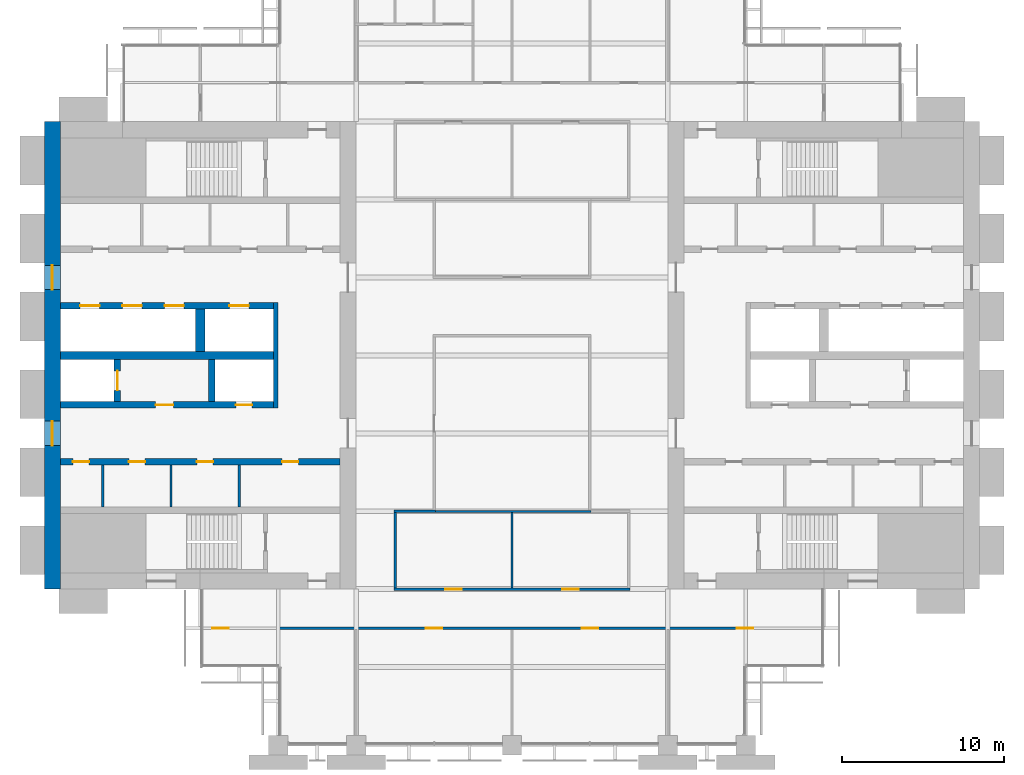
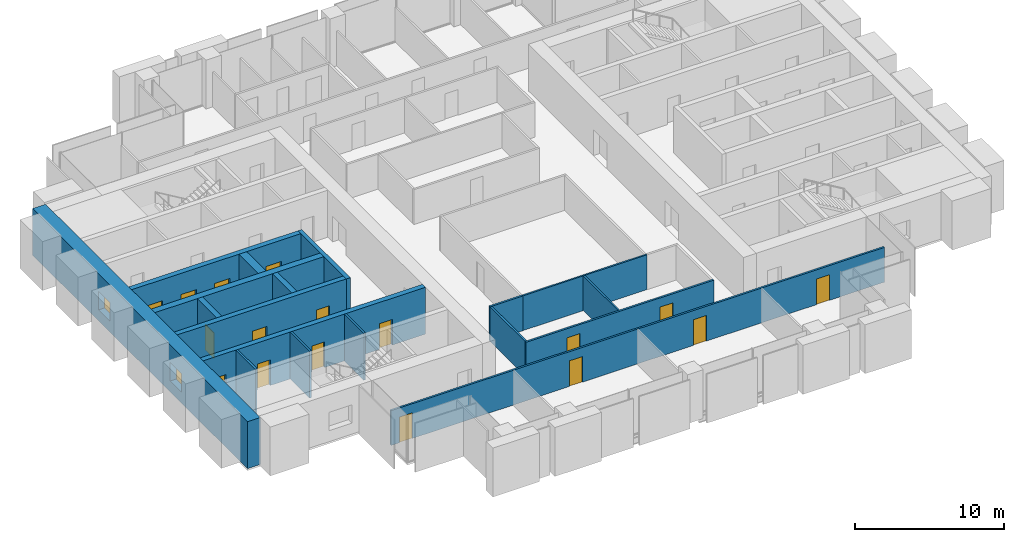
# One storey, part 9 of 14: 18 walls, 17 doors, 2 windows, 19 openings.
"""IFC4 building model written with IfcOpenShell, lengths in metres."""

from ifc_helpers import new_model, si_unit, direction, frame, frame_2d, origin, place, context, subcontext, project, spatial, rectangle, extrude, material, layer, layer_set, type_object, element, fill, save


model = new_model("IFC4")

# Units and contexts
model_context = context("Model", 3, precision=1e-05, world=origin(), true_north=direction((0.0, 1.0)))
body_context = subcontext(model_context, "Body", "Model", "MODEL_VIEW")
ifc_project = project(units=[si_unit("LENGTHUNIT", "METRE"), si_unit("AREAUNIT", "SQUARE_METRE"), si_unit("VOLUMEUNIT", "CUBIC_METRE"), si_unit("PLANEANGLEUNIT", "RADIAN"), si_unit("MASSUNIT", "GRAM", prefix="KILO")], contexts=[model_context])

# Site, building, storey
site_placement = place(None, origin())
site = spatial("IfcSite", under=ifc_project, at=site_placement, CompositionType="ELEMENT")
building_placement = place(site_placement, origin())
building = spatial("IfcBuilding", under=site, at=building_placement, Name="Baori Bourse Tower", CompositionType="ELEMENT")
storey_placement = place(building_placement, frame((0.0, 0.0, 136.10009765625)))
storey = spatial("IfcBuildingStorey", under=building, at=storey_placement, Name="L29", CompositionType="ELEMENT", Elevation=136.10009765625)

# Walls
ifc_material_1 = material(Name="Blockwork partition", Category="masonry")
ifc_layer_1 = layer(ifc_material_1, 0.14990234375)
ifc_layer_set_1 = layer_set([ifc_layer_1], Name="Core partition 150")
wall_type_1 = type_object("IfcWallType", Name="Core partition 150", PredefinedType="PARTITIONING", material=ifc_layer_set_1)
for number, where, z_axis, x_axis, name in (
    (1, (3.60009765625, 14.64990234375, 0.0), (0.0, 0.0, 1.0), (0.0, 1.0, 0.0), "Partition wall W10"),
    (2, (7.800048828125, 14.64990234375, 0.0), (0.0, 0.0, 1.0), (0.0, 1.0, 0.0), "Partition wall W11"),
    (3, (12.0, 14.64990234375, 0.0), (0.0, 0.0, 1.0), (0.0, 1.0, 0.0), "Partition wall W12"),
):
    element("IfcWall", number, at=place(storey_placement, frame(where, z_axis=z_axis, x_axis=x_axis)), inside=storey, type_object=wall_type_1, Name=name, PredefinedType="PARTITIONING", context=body_context, shape_type="SweptSolid", body=[
        extrude(rectangle(XDim=2.60009765625, YDim=0.14990234375, at=frame_2d((1.300048828125, 0.0))), origin(), (0.0, 0.0, 1.0), 3.83984375),
    ])

# Wall, openings, windows
ifc_material_2 = material(Name="Concrete f'c 60 MPa", Category="concrete")
ifc_layer_2 = layer(ifc_material_2, 1.0)
ifc_layer_set_2 = layer_set([ifc_layer_2], Name="Core wall 1000 f'c 60")
wall_type_2 = type_object("IfcWallType", Name="Core wall 1000 f'c 60", PredefinedType="SHEAR", material=ifc_layer_set_2)
wall_1_placement = place(storey_placement, frame((0.5, 9.60009765625, 0.0), z_axis=(0.0, 0.0, 1.0), x_axis=(0.0, 1.0, 0.0)))
wall_1 = element("IfcWall", 4, at=wall_1_placement, inside=storey, type_object=wall_type_2, Name="Core wall W01", PredefinedType="SHEAR", context=body_context, shape_type="SweptSolid", body=[
    extrude(rectangle(XDim=28.7998046875, YDim=1.0, at=frame_2d((14.39990234375, 0.0))), origin(), (0.0, 0.0, 1.0), 3.83984375),
])
opening_1_placement = place(wall_1_placement, frame((8.85009765625, 0.0, 0.89990234375)))
opening_1 = element("IfcOpeningElement", 5, at=opening_1_placement, cuts=wall_1, Name="Opening L29-KW101", PredefinedType="OPENING", context=body_context, shape_type="SweptSolid", body=[
    extrude(rectangle(XDim=1.5, YDim=1.5, at=frame_2d((0.75, 0.75))), frame((0.0, 0.510009765625, 0.0), z_axis=(0.0, -1.0, 0.0), x_axis=(1.0, 0.0, 0.0)), (0.0, 0.0, 1.0), 1.02001953125),
])
opening_2_placement = place(wall_1_placement, frame((18.449951171875, 0.0, 0.89990234375)))
opening_2 = element("IfcOpeningElement", 6, at=opening_2_placement, cuts=wall_1, Name="Opening L29-KW102", PredefinedType="OPENING", context=body_context, shape_type="SweptSolid", body=[
    extrude(rectangle(XDim=1.5, YDim=1.5, at=frame_2d((0.75, 0.75))), frame((0.0, 0.510009765625, 0.0), z_axis=(0.0, -1.0, 0.0), x_axis=(1.0, 0.0, 0.0)), (0.0, 0.0, 1.0), 1.02001953125),
])
ifc_material_3 = material(Name="Pale anodised aluminium", Category="aluminium")
window_type = type_object("IfcWindowType", Name="Lobby window 1500 x 1500", PartitioningType="SINGLE_PANEL", PredefinedType="WINDOW", material=ifc_material_3)
window_1_placement = place(opening_1_placement, origin())
window_1 = element("IfcWindow", 7, at=window_1_placement, inside=storey, type_object=window_type, Name="Outer wall window W L29 1", OverallHeight=1.5, OverallWidth=1.5, PartitioningType="SINGLE_PANEL", PredefinedType="WINDOW", context=body_context, shape_type="SweptSolid", body=[
    extrude(rectangle(XDim=1.5, YDim=1.5, at=frame_2d((0.75, 0.75))), frame((0.0, 0.030029296875, 0.0), z_axis=(0.0, -1.0, 0.0), x_axis=(1.0, 0.0, 0.0)), (0.0, 0.0, 1.0), 0.06005859375),
])
fill(opening_1, window_1)
window_2_placement = place(opening_2_placement, origin())
window_2 = element("IfcWindow", 8, at=window_2_placement, inside=storey, type_object=window_type, Name="Outer wall window W L29 2", OverallHeight=1.5, OverallWidth=1.5, PartitioningType="SINGLE_PANEL", PredefinedType="WINDOW", context=body_context, shape_type="SweptSolid", body=[
    extrude(rectangle(XDim=1.5, YDim=1.5, at=frame_2d((0.75, 0.75))), frame((0.0, 0.030029296875, 0.0), z_axis=(0.0, -1.0, 0.0), x_axis=(1.0, 0.0, 0.0)), (0.0, 0.0, 1.0), 0.06005859375),
])
fill(opening_2, window_2)

# Wall, openings, doors
ifc_material_4 = material(Name="Gypsum board partition")
ifc_layer_3 = layer(ifc_material_4, 0.14990234375)
ifc_layer_set_3 = layer_set([ifc_layer_3], Name="Corridor partition 150")
wall_type_3 = type_object("IfcWallType", Name="Corridor partition 150", PredefinedType="PARTITIONING", material=ifc_layer_set_3)
wall_2_placement = place(storey_placement, frame((9.699951171875, 7.199951171875, 0.0), z_axis=(0.0, 0.0, 1.0), x_axis=(1.0, 0.0, 0.0)))
wall_2 = element("IfcWall", 9, at=wall_2_placement, inside=storey, type_object=wall_type_3, Name="Partition", PredefinedType="PARTITIONING", context=body_context, shape_type="SweptSolid", body=[
    extrude(rectangle(XDim=38.199951171875, YDim=0.14990234375, at=frame_2d((19.10009765625, 0.0))), origin(), (0.0, 0.0, 1.0), 2.849365234375),
])
opening_3_placement = place(wall_2_placement, frame((0.64990234375, 0.0, 0.0)))
opening_3 = element("IfcOpeningElement", 10, at=opening_3_placement, cuts=wall_2, Name="Opening L29-D01", PredefinedType="OPENING", context=body_context, shape_type="SweptSolid", body=[
    extrude(rectangle(XDim=1.0, YDim=2.10009765625, at=frame_2d((0.5, 1.050048828125))), frame((0.0, 0.0849609375, 0.0), z_axis=(0.0, -1.0, 0.0), x_axis=(1.0, 0.0, 0.0)), (0.0, 0.0, 1.0), 0.169921875),
])
opening_4_placement = place(wall_2_placement, frame((13.800048828125, 0.0, 0.0)))
opening_4 = element("IfcOpeningElement", 11, at=opening_4_placement, cuts=wall_2, Name="Opening L29-D02", PredefinedType="OPENING", context=body_context, shape_type="SweptSolid", body=[
    extrude(rectangle(XDim=1.0, YDim=2.10009765625, at=frame_2d((0.5, 1.050048828125))), frame((0.0, 0.0849609375, 0.0), z_axis=(0.0, -1.0, 0.0), x_axis=(1.0, 0.0, 0.0)), (0.0, 0.0, 1.0), 0.169921875),
])
opening_5_placement = place(wall_2_placement, frame((23.39990234375, 0.0, 0.0)))
opening_5 = element("IfcOpeningElement", 12, at=opening_5_placement, cuts=wall_2, Name="Opening L29-D03", PredefinedType="OPENING", context=body_context, shape_type="SweptSolid", body=[
    extrude(rectangle(XDim=1.0, YDim=2.10009765625, at=frame_2d((0.5, 1.050048828125))), frame((0.0, 0.0849609375, 0.0), z_axis=(0.0, -1.0, 0.0), x_axis=(1.0, 0.0, 0.0)), (0.0, 0.0, 1.0), 0.169921875),
])
opening_6_placement = place(wall_2_placement, frame((32.949951171875, 0.0, 0.0)))
opening_6 = element("IfcOpeningElement", 13, at=opening_6_placement, cuts=wall_2, Name="Opening L29-D04", PredefinedType="OPENING", context=body_context, shape_type="SweptSolid", body=[
    extrude(rectangle(XDim=1.0, YDim=2.10009765625, at=frame_2d((0.5, 1.050048828125))), frame((0.0, 0.0849609375, 0.0), z_axis=(0.0, -1.0, 0.0), x_axis=(1.0, 0.0, 0.0)), (0.0, 0.0, 1.0), 0.169921875),
])
ifc_material_5 = material(Name="Timber door leaf", Category="wood")
door_type_1 = type_object("IfcDoorType", Name="Door 1000 x 2100", OperationType="SINGLE_SWING_LEFT", PredefinedType="DOOR", material=ifc_material_5)
door_1_placement = place(opening_3_placement, origin())
door_1 = element("IfcDoor", 14, at=door_1_placement, inside=storey, type_object=door_type_1, Name="Door", OperationType="SINGLE_SWING_LEFT", OverallHeight=2.10009765625, OverallWidth=1.0, PredefinedType="DOOR", context=body_context, shape_type="SweptSolid", body=[
    extrude(rectangle(XDim=1.0, YDim=2.10009765625, at=frame_2d((0.5, 1.050048828125))), frame((0.0, 0.02490234375, 0.0), z_axis=(0.0, -1.0, 0.0), x_axis=(1.0, 0.0, 0.0)), (0.0, 0.0, 1.0), 0.050048828125),
])
fill(opening_3, door_1)
door_2_placement = place(opening_4_placement, origin())
door_2 = element("IfcDoor", 15, at=door_2_placement, inside=storey, type_object=door_type_1, Name="Door", OperationType="SINGLE_SWING_LEFT", OverallHeight=2.10009765625, OverallWidth=1.0, PredefinedType="DOOR", context=body_context, shape_type="SweptSolid", body=[
    extrude(rectangle(XDim=1.0, YDim=2.10009765625, at=frame_2d((0.5, 1.050048828125))), frame((0.0, 0.02490234375, 0.0), z_axis=(0.0, -1.0, 0.0), x_axis=(1.0, 0.0, 0.0)), (0.0, 0.0, 1.0), 0.050048828125),
])
fill(opening_4, door_2)
door_3_placement = place(opening_5_placement, origin())
door_3 = element("IfcDoor", 16, at=door_3_placement, inside=storey, type_object=door_type_1, Name="Door", OperationType="SINGLE_SWING_RIGHT", OverallHeight=2.10009765625, OverallWidth=1.0, PredefinedType="DOOR", context=body_context, shape_type="SweptSolid", body=[
    extrude(rectangle(XDim=1.0, YDim=2.10009765625, at=frame_2d((0.5, 1.050048828125))), frame((0.0, 0.02490234375, 0.0), z_axis=(0.0, -1.0, 0.0), x_axis=(1.0, 0.0, 0.0)), (0.0, 0.0, 1.0), 0.050048828125),
])
fill(opening_5, door_3)
door_4_placement = place(opening_6_placement, origin())
door_4 = element("IfcDoor", 17, at=door_4_placement, inside=storey, type_object=door_type_1, Name="Door", OperationType="SINGLE_SWING_RIGHT", OverallHeight=2.10009765625, OverallWidth=1.0, PredefinedType="DOOR", context=body_context, shape_type="SweptSolid", body=[
    extrude(rectangle(XDim=1.0, YDim=2.10009765625, at=frame_2d((0.5, 1.050048828125))), frame((0.0, 0.02490234375, 0.0), z_axis=(0.0, -1.0, 0.0), x_axis=(1.0, 0.0, 0.0)), (0.0, 0.0, 1.0), 0.050048828125),
])
fill(opening_6, door_4)

wall_3_placement = place(storey_placement, frame((21.52490234375, 9.60009765625, 0.0), z_axis=(0.0, 0.0, 1.0), x_axis=(1.0, 0.0, 0.0)))
wall_3 = element("IfcWall", 18, at=wall_3_placement, inside=storey, type_object=wall_type_3, Name="Partition", PredefinedType="PARTITIONING", context=body_context, shape_type="SweptSolid", body=[
    extrude(rectangle(XDim=14.550048828125, YDim=0.14990234375, at=frame_2d((7.27490234375, 0.0))), origin(), (0.0, 0.0, 1.0), 2.849365234375),
])
opening_7_placement = place(wall_3_placement, frame((3.175048828125, 0.0, 0.0)))
opening_7 = element("IfcOpeningElement", 19, at=opening_7_placement, cuts=wall_3, Name="Opening L29-D05", PredefinedType="OPENING", context=body_context, shape_type="SweptSolid", body=[
    extrude(rectangle(XDim=1.0, YDim=2.10009765625, at=frame_2d((0.5, 1.050048828125))), frame((0.0, 0.0849609375, 0.0), z_axis=(0.0, -1.0, 0.0), x_axis=(1.0, 0.0, 0.0)), (0.0, 0.0, 1.0), 0.169921875),
])
opening_8_placement = place(wall_3_placement, frame((10.375, 0.0, 0.0)))
opening_8 = element("IfcOpeningElement", 20, at=opening_8_placement, cuts=wall_3, Name="Opening L29-D06", PredefinedType="OPENING", context=body_context, shape_type="SweptSolid", body=[
    extrude(rectangle(XDim=1.0, YDim=2.10009765625, at=frame_2d((0.5, 1.050048828125))), frame((0.0, 0.0849609375, 0.0), z_axis=(0.0, -1.0, 0.0), x_axis=(1.0, 0.0, 0.0)), (0.0, 0.0, 1.0), 0.169921875),
])
door_5_placement = place(opening_7_placement, origin())
door_5 = element("IfcDoor", 21, at=door_5_placement, inside=storey, type_object=door_type_1, Name="Door", OperationType="SINGLE_SWING_RIGHT", OverallHeight=2.10009765625, OverallWidth=1.0, PredefinedType="DOOR", context=body_context, shape_type="SweptSolid", body=[
    extrude(rectangle(XDim=1.0, YDim=2.10009765625, at=frame_2d((0.5, 1.050048828125))), frame((0.0, 0.02490234375, 0.0), z_axis=(0.0, -1.0, 0.0), x_axis=(1.0, 0.0, 0.0)), (0.0, 0.0, 1.0), 0.050048828125),
])
fill(opening_7, door_5)
door_6_placement = place(opening_8_placement, origin())
door_6 = element("IfcDoor", 22, at=door_6_placement, inside=storey, type_object=door_type_1, Name="Door", OperationType="SINGLE_SWING_LEFT", OverallHeight=2.10009765625, OverallWidth=1.0, PredefinedType="DOOR", context=body_context, shape_type="SweptSolid", body=[
    extrude(rectangle(XDim=1.0, YDim=2.10009765625, at=frame_2d((0.5, 1.050048828125))), frame((0.0, 0.02490234375, 0.0), z_axis=(0.0, -1.0, 0.0), x_axis=(1.0, 0.0, 0.0)), (0.0, 0.0, 1.0), 0.050048828125),
])
fill(opening_8, door_6)

# Walls
wall_4_placement = place(storey_placement, frame((21.52490234375, 14.39990234375, 0.0), z_axis=(0.0, 0.0, 1.0), x_axis=(1.0, 0.0, 0.0)))
element("IfcWall", 23, at=wall_4_placement, inside=storey, type_object=wall_type_3, Name="Partition", PredefinedType="PARTITIONING", context=body_context, shape_type="SweptSolid", body=[
    extrude(rectangle(XDim=2.550048828125, YDim=0.14990234375, at=frame_2d((1.27490234375, 0.0))), origin(), (0.0, 0.0, 1.0), 2.849365234375),
])
wall_5_placement = place(storey_placement, frame((21.60009765625, 9.675048828125, 0.0), z_axis=(0.0, 0.0, 1.0), x_axis=(0.0, 1.0, 0.0)))
element("IfcWall", 24, at=wall_5_placement, inside=storey, type_object=wall_type_3, Name="Partition", PredefinedType="PARTITIONING", context=body_context, shape_type="SweptSolid", body=[
    extrude(rectangle(XDim=4.64990234375, YDim=0.14990234375, at=frame_2d((2.324951171875, 0.0))), origin(), (0.0, 0.0, 1.0), 2.849365234375),
])
ifc_material_6 = material(Name="Gypsum board partition")
ifc_layer_4 = layer(ifc_material_6, 0.125)
ifc_layer_set_4 = layer_set([ifc_layer_4], Name="Partition 125")
wall_type_4 = type_object("IfcWallType", Name="Partition 125", PredefinedType="PARTITIONING", material=ifc_layer_set_4)
wall_6_placement = place(storey_placement, frame((24.074951171875, 14.39990234375, 0.0), z_axis=(0.0, 0.0, 1.0), x_axis=(1.0, 0.0, 0.0)))
element("IfcWall", 25, at=wall_6_placement, inside=storey, type_object=wall_type_4, Name="Partition", PredefinedType="PARTITIONING", context=body_context, shape_type="SweptSolid", body=[
    extrude(rectangle(XDim=9.60009765625, YDim=0.125, at=frame_2d((4.800048828125, 0.0))), origin(), (0.0, 0.0, 1.0), 2.849365234375),
])
wall_7_placement = place(storey_placement, frame((28.800048828125, 9.675048828125, 0.0), z_axis=(0.0, 0.0, 1.0), x_axis=(0.0, 1.0, 0.0)))
element("IfcWall", 26, at=wall_7_placement, inside=storey, type_object=wall_type_4, Name="Partition", PredefinedType="PARTITIONING", context=body_context, shape_type="SweptSolid", body=[
    extrude(rectangle(XDim=4.662353515625, YDim=0.125, at=frame_2d((2.3310546875, 0.0))), origin(), (0.0, 0.0, 1.0), 2.849365234375),
])
ifc_material_7 = material(Name="Concrete f'c 60 MPa", Category="concrete")
ifc_layer_5 = layer(ifc_material_7, 0.300048828125)
ifc_layer_set_5 = layer_set([ifc_layer_5], Name="Shaft wall 300 f'c 60")
wall_type_5 = type_object("IfcWallType", Name="Shaft wall 300 f'c 60", PredefinedType="SHEAR", material=ifc_layer_set_5)
wall_8_placement = place(storey_placement, frame((14.25, 20.75, 0.0), z_axis=(0.0, 0.0, 1.0), x_axis=(0.0, 1.0, 0.0)))
element("IfcWall", 27, at=wall_8_placement, inside=storey, type_object=wall_type_5, Name="Core wall W15", PredefinedType="SHEAR", context=body_context, shape_type="SweptSolid", body=[
    extrude(rectangle(XDim=6.5, YDim=0.300048828125, at=frame_2d((3.25, 0.0))), origin(), (0.0, 0.0, 1.0), 3.83984375),
])

# Wall, openings, doors
ifc_material_8 = material(Name="Concrete f'c 60 MPa", Category="concrete")
ifc_layer_6 = layer(ifc_material_8, 0.39990234375)
ifc_layer_set_6 = layer_set([ifc_layer_6], Name="Shaft wall 400 f'c 60")
wall_type_6 = type_object("IfcWallType", Name="Shaft wall 400 f'c 60", PredefinedType="SHEAR", material=ifc_layer_set_6)
wall_9_placement = place(storey_placement, frame((1.0, 17.449951171875, 0.0), z_axis=(0.0, 0.0, 1.0), x_axis=(1.0, 0.0, 0.0)))
wall_9 = element("IfcWall", 28, at=wall_9_placement, inside=storey, type_object=wall_type_6, Name="Core wall W13", PredefinedType="SHEAR", context=body_context, shape_type="SweptSolid", body=[
    extrude(rectangle(XDim=17.199951171875, YDim=0.39990234375, at=frame_2d((8.60009765625, 0.0))), origin(), (0.0, 0.0, 1.0), 3.83984375),
])
opening_9_placement = place(wall_9_placement, frame((0.762451171875, 0.0, 0.0)))
opening_9 = element("IfcOpeningElement", 29, at=opening_9_placement, cuts=wall_9, Name="Opening L29-D113", PredefinedType="OPENING", context=body_context, shape_type="SweptSolid", body=[
    extrude(rectangle(XDim=1.0, YDim=2.10009765625, at=frame_2d((0.5, 1.050048828125))), frame((0.0, 0.2099609375, 0.0), z_axis=(0.0, -1.0, 0.0), x_axis=(1.0, 0.0, 0.0)), (0.0, 0.0, 1.0), 0.419921875),
])
opening_10_placement = place(wall_9_placement, frame((4.199951171875, 0.0, 0.0)))
opening_10 = element("IfcOpeningElement", 30, at=opening_10_placement, cuts=wall_9, Name="Opening L29-D114", PredefinedType="OPENING", context=body_context, shape_type="SweptSolid", body=[
    extrude(rectangle(XDim=1.0, YDim=2.10009765625, at=frame_2d((0.5, 1.050048828125))), frame((0.0, 0.2099609375, 0.0), z_axis=(0.0, -1.0, 0.0), x_axis=(1.0, 0.0, 0.0)), (0.0, 0.0, 1.0), 0.419921875),
])
opening_11_placement = place(wall_9_placement, frame((8.39990234375, 0.0, 0.0)))
opening_11 = element("IfcOpeningElement", 31, at=opening_11_placement, cuts=wall_9, Name="Opening L29-D115", PredefinedType="OPENING", context=body_context, shape_type="SweptSolid", body=[
    extrude(rectangle(XDim=1.0, YDim=2.10009765625, at=frame_2d((0.5, 1.050048828125))), frame((0.0, 0.2099609375, 0.0), z_axis=(0.0, -1.0, 0.0), x_axis=(1.0, 0.0, 0.0)), (0.0, 0.0, 1.0), 0.419921875),
])
opening_12_placement = place(wall_9_placement, frame((13.637451171875, 0.0, 0.0)))
opening_12 = element("IfcOpeningElement", 32, at=opening_12_placement, cuts=wall_9, Name="Opening L29-D116", PredefinedType="OPENING", context=body_context, shape_type="SweptSolid", body=[
    extrude(rectangle(XDim=1.0, YDim=2.10009765625, at=frame_2d((0.5, 1.050048828125))), frame((0.0, 0.2099609375, 0.0), z_axis=(0.0, -1.0, 0.0), x_axis=(1.0, 0.0, 0.0)), (0.0, 0.0, 1.0), 0.419921875),
])
ifc_material_9 = material(Name="Painted steel door", Category="steel")
door_type_2 = type_object("IfcDoorType", Name="Core door 1000", OperationType="SINGLE_SWING_LEFT", PredefinedType="DOOR", material=ifc_material_9)
door_7_placement = place(opening_9_placement, origin())
door_7 = element("IfcDoor", 33, at=door_7_placement, inside=storey, type_object=door_type_2, Name="Janitor'S Closet door W L29", OperationType="SINGLE_SWING_LEFT", OverallHeight=2.10009765625, OverallWidth=1.0, PredefinedType="DOOR", context=body_context, shape_type="SweptSolid", body=[
    extrude(rectangle(XDim=1.0, YDim=2.10009765625, at=frame_2d((0.5, 1.050048828125))), frame((0.0, 0.02490234375, 0.0), z_axis=(0.0, -1.0, 0.0), x_axis=(1.0, 0.0, 0.0)), (0.0, 0.0, 1.0), 0.050048828125),
])
fill(opening_9, door_7)
door_8_placement = place(opening_10_placement, origin())
door_8 = element("IfcDoor", 34, at=door_8_placement, inside=storey, type_object=door_type_2, Name="Women'S Wc door W L29", OperationType="SINGLE_SWING_LEFT", OverallHeight=2.10009765625, OverallWidth=1.0, PredefinedType="DOOR", context=body_context, shape_type="SweptSolid", body=[
    extrude(rectangle(XDim=1.0, YDim=2.10009765625, at=frame_2d((0.5, 1.050048828125))), frame((0.0, 0.02490234375, 0.0), z_axis=(0.0, -1.0, 0.0), x_axis=(1.0, 0.0, 0.0)), (0.0, 0.0, 1.0), 0.050048828125),
])
fill(opening_10, door_8)
door_9_placement = place(opening_11_placement, origin())
door_9 = element("IfcDoor", 35, at=door_9_placement, inside=storey, type_object=door_type_2, Name="Accessible Wc door W L29", OperationType="SINGLE_SWING_LEFT", OverallHeight=2.10009765625, OverallWidth=1.0, PredefinedType="DOOR", context=body_context, shape_type="SweptSolid", body=[
    extrude(rectangle(XDim=1.0, YDim=2.10009765625, at=frame_2d((0.5, 1.050048828125))), frame((0.0, 0.02490234375, 0.0), z_axis=(0.0, -1.0, 0.0), x_axis=(1.0, 0.0, 0.0)), (0.0, 0.0, 1.0), 0.050048828125),
])
fill(opening_11, door_9)
door_10_placement = place(opening_12_placement, origin())
door_10 = element("IfcDoor", 36, at=door_10_placement, inside=storey, type_object=door_type_2, Name="Men'S Wc door W L29", OperationType="SINGLE_SWING_LEFT", OverallHeight=2.10009765625, OverallWidth=1.0, PredefinedType="DOOR", context=body_context, shape_type="SweptSolid", body=[
    extrude(rectangle(XDim=1.0, YDim=2.10009765625, at=frame_2d((0.5, 1.050048828125))), frame((0.0, 0.02490234375, 0.0), z_axis=(0.0, -1.0, 0.0), x_axis=(1.0, 0.0, 0.0)), (0.0, 0.0, 1.0), 0.050048828125),
])
fill(opening_12, door_10)

wall_10_placement = place(storey_placement, frame((1.0, 20.949951171875, 0.0), z_axis=(0.0, 0.0, 1.0), x_axis=(1.0, 0.0, 0.0)))
wall_10 = element("IfcWall", 37, at=wall_10_placement, inside=storey, type_object=wall_type_6, Name="Core wall W14", PredefinedType="SHEAR", context=body_context, shape_type="SweptSolid", body=[
    extrude(rectangle(XDim=13.10009765625, YDim=0.39990234375, at=frame_2d((6.550048828125, 0.0))), origin(), (0.0, 0.0, 1.0), 3.83984375),
])
opening_13_placement = place(wall_10_placement, frame((5.85009765625, 0.0, 0.0)))
opening_13 = element("IfcOpeningElement", 38, at=opening_13_placement, cuts=wall_10, Name="Opening L29-D105", PredefinedType="OPENING", context=body_context, shape_type="SweptSolid", body=[
    extrude(rectangle(XDim=1.10009765625, YDim=2.10009765625, at=frame_2d((0.550048828125, 1.050048828125))), frame((0.0, 0.2099609375, 0.0), z_axis=(0.0, -1.0, 0.0), x_axis=(1.0, 0.0, 0.0)), (0.0, 0.0, 1.0), 0.419921875),
])
opening_14_placement = place(wall_10_placement, frame((10.800048828125, 0.0, 0.0)))
opening_14 = element("IfcOpeningElement", 39, at=opening_14_placement, cuts=wall_10, Name="Opening L29-D106", PredefinedType="OPENING", context=body_context, shape_type="SweptSolid", body=[
    extrude(rectangle(XDim=1.0, YDim=2.10009765625, at=frame_2d((0.5, 1.050048828125))), frame((0.0, 0.2099609375, 0.0), z_axis=(0.0, -1.0, 0.0), x_axis=(1.0, 0.0, 0.0)), (0.0, 0.0, 1.0), 0.419921875),
])
ifc_material_10 = material(Name="Painted steel door", Category="steel")
door_type_3 = type_object("IfcDoorType", Name="Lobby door 1100", OperationType="SINGLE_SWING_LEFT", PredefinedType="DOOR", material=ifc_material_10)
door_11_placement = place(opening_13_placement, origin())
door_11 = element("IfcDoor", 40, at=door_11_placement, inside=storey, type_object=door_type_3, Name="Firefighting lobby door W L29", OperationType="SINGLE_SWING_LEFT", OverallHeight=2.10009765625, OverallWidth=1.10009765625, PredefinedType="DOOR", context=body_context, shape_type="SweptSolid", body=[
    extrude(rectangle(XDim=1.10009765625, YDim=2.10009765625, at=frame_2d((0.550048828125, 1.050048828125))), frame((0.0, 0.02490234375, 0.0), z_axis=(0.0, -1.0, 0.0), x_axis=(1.0, 0.0, 0.0)), (0.0, 0.0, 1.0), 0.050048828125),
])
fill(opening_13, door_11)
ifc_material_11 = material(Name="Painted steel door", Category="steel")
door_type_4 = type_object("IfcDoorType", Name="Shaft door 1000", OperationType="SINGLE_SWING_LEFT", PredefinedType="DOOR", material=ifc_material_11)
door_12_placement = place(opening_14_placement, origin())
door_12 = element("IfcDoor", 41, at=door_12_placement, inside=storey, type_object=door_type_4, Name="Riser room door W L29", OperationType="SINGLE_SWING_LEFT", OverallHeight=2.10009765625, OverallWidth=1.0, PredefinedType="DOOR", context=body_context, shape_type="SweptSolid", body=[
    extrude(rectangle(XDim=1.0, YDim=2.10009765625, at=frame_2d((0.5, 1.050048828125))), frame((0.0, 0.02490234375, 0.0), z_axis=(0.0, -1.0, 0.0), x_axis=(1.0, 0.0, 0.0)), (0.0, 0.0, 1.0), 0.050048828125),
])
fill(opening_14, door_12)

# Wall, opening, door
wall_11_placement = place(storey_placement, frame((4.5, 21.14990234375, 0.0), z_axis=(0.0, 0.0, 1.0), x_axis=(0.0, 1.0, 0.0)))
wall_11 = element("IfcWall", 42, at=wall_11_placement, inside=storey, type_object=wall_type_6, Name="Core wall W16", PredefinedType="SHEAR", context=body_context, shape_type="SweptSolid", body=[
    extrude(rectangle(XDim=2.60009765625, YDim=0.39990234375, at=frame_2d((1.300048828125, 0.0))), origin(), (0.0, 0.0, 1.0), 3.83984375),
])
opening_15_placement = place(wall_11_placement, frame((0.699951171875, 0.0, 0.0)))
opening_15 = element("IfcOpeningElement", 43, at=opening_15_placement, cuts=wall_11, Name="Opening L29-D121", PredefinedType="OPENING", context=body_context, shape_type="SweptSolid", body=[
    extrude(rectangle(XDim=1.199951171875, YDim=2.10009765625, at=frame_2d((0.60009765625, 1.050048828125))), frame((0.0, 0.2099609375, 0.0), z_axis=(0.0, -1.0, 0.0), x_axis=(1.0, 0.0, 0.0)), (0.0, 0.0, 1.0), 0.419921875),
])
ifc_material_12 = material(Name="Stainless steel door", Category="steel")
door_type_5 = type_object("IfcDoorType", Name="Lift landing door", OperationType="DOUBLE_DOOR_SLIDING", PredefinedType="DOOR", material=ifc_material_12)
door_13_placement = place(opening_15_placement, origin())
door_13 = element("IfcDoor", 44, at=door_13_placement, inside=storey, type_object=door_type_5, Name="Lift landing door FF1 W L29", OperationType="DOUBLE_DOOR_SLIDING", OverallHeight=2.10009765625, OverallWidth=1.199951171875, PredefinedType="DOOR", context=body_context, shape_type="SweptSolid", body=[
    extrude(rectangle(XDim=1.199951171875, YDim=2.10009765625, at=frame_2d((0.60009765625, 1.050048828125))), frame((0.0, 0.02490234375, 0.0), z_axis=(0.0, -1.0, 0.0), x_axis=(1.0, 0.0, 0.0)), (0.0, 0.0, 1.0), 0.050048828125),
])
fill(opening_15, door_13)

# Wall
wall_12_placement = place(storey_placement, frame((10.300048828125, 21.14990234375, 0.0), z_axis=(0.0, 0.0, 1.0), x_axis=(0.0, 1.0, 0.0)))
element("IfcWall", 45, at=wall_12_placement, inside=storey, type_object=wall_type_6, Name="Core wall W17", PredefinedType="SHEAR", context=body_context, shape_type="SweptSolid", body=[
    extrude(rectangle(XDim=2.60009765625, YDim=0.39990234375, at=frame_2d((1.300048828125, 0.0))), origin(), (0.0, 0.0, 1.0), 3.83984375),
])

# Wall, openings, doors
wall_13_placement = place(storey_placement, frame((1.0, 27.050048828125, 0.0), z_axis=(0.0, 0.0, 1.0), x_axis=(1.0, 0.0, 0.0)))
wall_13 = element("IfcWall", 46, at=wall_13_placement, inside=storey, type_object=wall_type_6, Name="Core wall W20", PredefinedType="SHEAR", context=body_context, shape_type="SweptSolid", body=[
    extrude(rectangle(XDim=13.10009765625, YDim=0.39990234375, at=frame_2d((6.550048828125, 0.0))), origin(), (0.0, 0.0, 1.0), 3.83984375),
])
opening_16_placement = place(wall_13_placement, frame((1.199951171875, 0.0, 0.0)))
opening_16 = element("IfcOpeningElement", 47, at=opening_16_placement, cuts=wall_13, Name="Opening L29-D117", PredefinedType="OPENING", context=body_context, shape_type="SweptSolid", body=[
    extrude(rectangle(XDim=1.199951171875, YDim=2.10009765625, at=frame_2d((0.60009765625, 1.050048828125))), frame((0.0, 0.2099609375, 0.0), z_axis=(0.0, -1.0, 0.0), x_axis=(1.0, 0.0, 0.0)), (0.0, 0.0, 1.0), 0.419921875),
])
opening_17_placement = place(wall_13_placement, frame((3.800048828125, 0.0, 0.0)))
opening_17 = element("IfcOpeningElement", 48, at=opening_17_placement, cuts=wall_13, Name="Opening L29-D118", PredefinedType="OPENING", context=body_context, shape_type="SweptSolid", body=[
    extrude(rectangle(XDim=1.199951171875, YDim=2.10009765625, at=frame_2d((0.60009765625, 1.050048828125))), frame((0.0, 0.2099609375, 0.0), z_axis=(0.0, -1.0, 0.0), x_axis=(1.0, 0.0, 0.0)), (0.0, 0.0, 1.0), 0.419921875),
])
opening_18_placement = place(wall_13_placement, frame((6.39990234375, 0.0, 0.0)))
opening_18 = element("IfcOpeningElement", 49, at=opening_18_placement, cuts=wall_13, Name="Opening L29-D119", PredefinedType="OPENING", context=body_context, shape_type="SweptSolid", body=[
    extrude(rectangle(XDim=1.199951171875, YDim=2.10009765625, at=frame_2d((0.60009765625, 1.050048828125))), frame((0.0, 0.2099609375, 0.0), z_axis=(0.0, -1.0, 0.0), x_axis=(1.0, 0.0, 0.0)), (0.0, 0.0, 1.0), 0.419921875),
])
opening_19_placement = place(wall_13_placement, frame((10.39990234375, 0.0, 0.0)))
opening_19 = element("IfcOpeningElement", 50, at=opening_19_placement, cuts=wall_13, Name="Opening L29-D120", PredefinedType="OPENING", context=body_context, shape_type="SweptSolid", body=[
    extrude(rectangle(XDim=1.199951171875, YDim=2.10009765625, at=frame_2d((0.60009765625, 1.050048828125))), frame((0.0, 0.2099609375, 0.0), z_axis=(0.0, -1.0, 0.0), x_axis=(1.0, 0.0, 0.0)), (0.0, 0.0, 1.0), 0.419921875),
])
door_14_placement = place(opening_16_placement, origin())
door_14 = element("IfcDoor", 51, at=door_14_placement, inside=storey, type_object=door_type_5, Name="Lift landing door SH1 W L29", OperationType="DOUBLE_DOOR_SLIDING", OverallHeight=2.10009765625, OverallWidth=1.199951171875, PredefinedType="DOOR", context=body_context, shape_type="SweptSolid", body=[
    extrude(rectangle(XDim=1.199951171875, YDim=2.10009765625, at=frame_2d((0.60009765625, 1.050048828125))), frame((0.0, 0.02490234375, 0.0), z_axis=(0.0, -1.0, 0.0), x_axis=(1.0, 0.0, 0.0)), (0.0, 0.0, 1.0), 0.050048828125),
])
fill(opening_16, door_14)
door_15_placement = place(opening_17_placement, origin())
door_15 = element("IfcDoor", 52, at=door_15_placement, inside=storey, type_object=door_type_5, Name="Lift landing door SH2 W L29", OperationType="DOUBLE_DOOR_SLIDING", OverallHeight=2.10009765625, OverallWidth=1.199951171875, PredefinedType="DOOR", context=body_context, shape_type="SweptSolid", body=[
    extrude(rectangle(XDim=1.199951171875, YDim=2.10009765625, at=frame_2d((0.60009765625, 1.050048828125))), frame((0.0, 0.02490234375, 0.0), z_axis=(0.0, -1.0, 0.0), x_axis=(1.0, 0.0, 0.0)), (0.0, 0.0, 1.0), 0.050048828125),
])
fill(opening_17, door_15)
door_16_placement = place(opening_18_placement, origin())
door_16 = element("IfcDoor", 53, at=door_16_placement, inside=storey, type_object=door_type_5, Name="Lift landing door SH3 W L29", OperationType="DOUBLE_DOOR_SLIDING", OverallHeight=2.10009765625, OverallWidth=1.199951171875, PredefinedType="DOOR", context=body_context, shape_type="SweptSolid", body=[
    extrude(rectangle(XDim=1.199951171875, YDim=2.10009765625, at=frame_2d((0.60009765625, 1.050048828125))), frame((0.0, 0.02490234375, 0.0), z_axis=(0.0, -1.0, 0.0), x_axis=(1.0, 0.0, 0.0)), (0.0, 0.0, 1.0), 0.050048828125),
])
fill(opening_18, door_16)
door_17_placement = place(opening_19_placement, origin())
door_17 = element("IfcDoor", 54, at=door_17_placement, inside=storey, type_object=door_type_5, Name="Lift landing door SV1 W L29", OperationType="DOUBLE_DOOR_SLIDING", OverallHeight=2.10009765625, OverallWidth=1.199951171875, PredefinedType="DOOR", context=body_context, shape_type="SweptSolid", body=[
    extrude(rectangle(XDim=1.199951171875, YDim=2.10009765625, at=frame_2d((0.60009765625, 1.050048828125))), frame((0.0, 0.02490234375, 0.0), z_axis=(0.0, -1.0, 0.0), x_axis=(1.0, 0.0, 0.0)), (0.0, 0.0, 1.0), 0.050048828125),
])
fill(opening_19, door_17)

# Walls
ifc_material_13 = material(Name="Concrete f'c 60 MPa", Category="concrete")
ifc_layer_7 = layer(ifc_material_13, 0.5)
ifc_layer_set_7 = layer_set([ifc_layer_7], Name="Shaft wall 500 f'c 60")
wall_type_7 = type_object("IfcWallType", Name="Shaft wall 500 f'c 60", PredefinedType="SHEAR", material=ifc_layer_set_7)
wall_14_placement = place(storey_placement, frame((1.0, 24.0, 0.0), z_axis=(0.0, 0.0, 1.0), x_axis=(1.0, 0.0, 0.0)))
element("IfcWall", 55, at=wall_14_placement, inside=storey, type_object=wall_type_7, Name="Core wall W18", PredefinedType="SHEAR", context=body_context, shape_type="SweptSolid", body=[
    extrude(rectangle(XDim=13.10009765625, YDim=0.5, at=frame_2d((6.550048828125, 0.0))), origin(), (0.0, 0.0, 1.0), 3.83984375),
])
ifc_material_14 = material(Name="Concrete f'c 60 MPa", Category="concrete")
ifc_layer_8 = layer(ifc_material_14, 0.60009765625)
ifc_layer_set_8 = layer_set([ifc_layer_8], Name="Shaft wall 600 f'c 60")
wall_type_8 = type_object("IfcWallType", Name="Shaft wall 600 f'c 60", PredefinedType="SHEAR", material=ifc_layer_set_8)
wall_15_placement = place(storey_placement, frame((9.60009765625, 24.25, 0.0), z_axis=(0.0, 0.0, 1.0), x_axis=(0.0, 1.0, 0.0)))
element("IfcWall", 56, at=wall_15_placement, inside=storey, type_object=wall_type_8, Name="Core wall W19", PredefinedType="SHEAR", context=body_context, shape_type="SweptSolid", body=[
    extrude(rectangle(XDim=2.60009765625, YDim=0.60009765625, at=frame_2d((1.300048828125, 0.0))), origin(), (0.0, 0.0, 1.0), 3.83984375),
])

save(model, "model.ifc")
